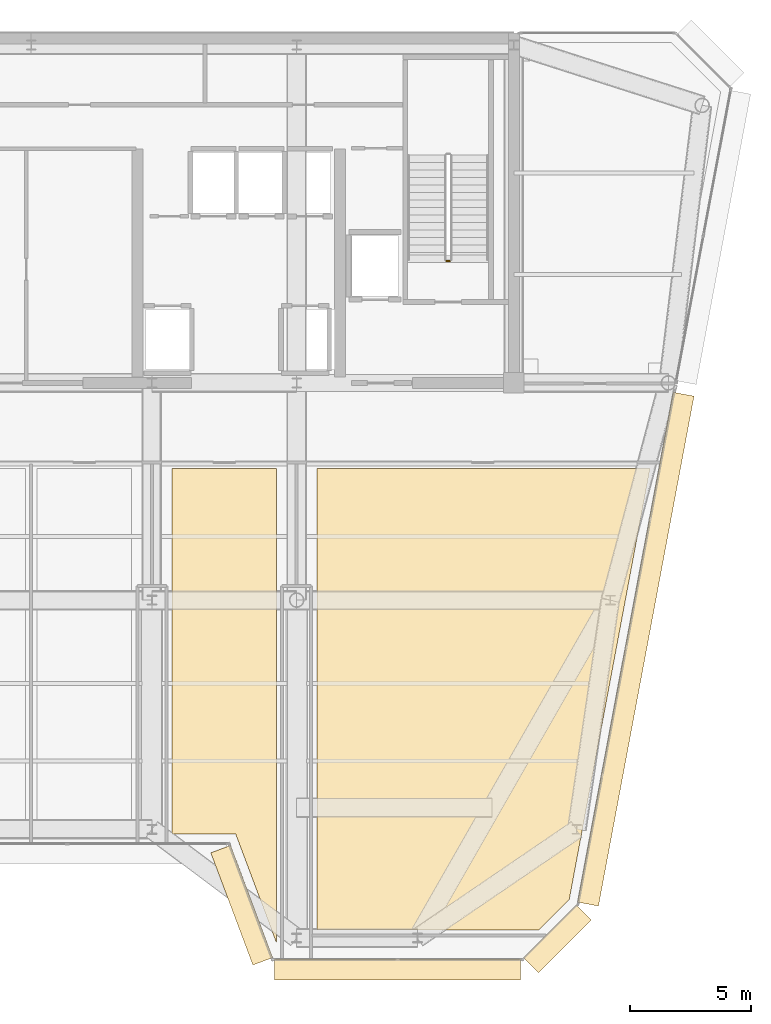
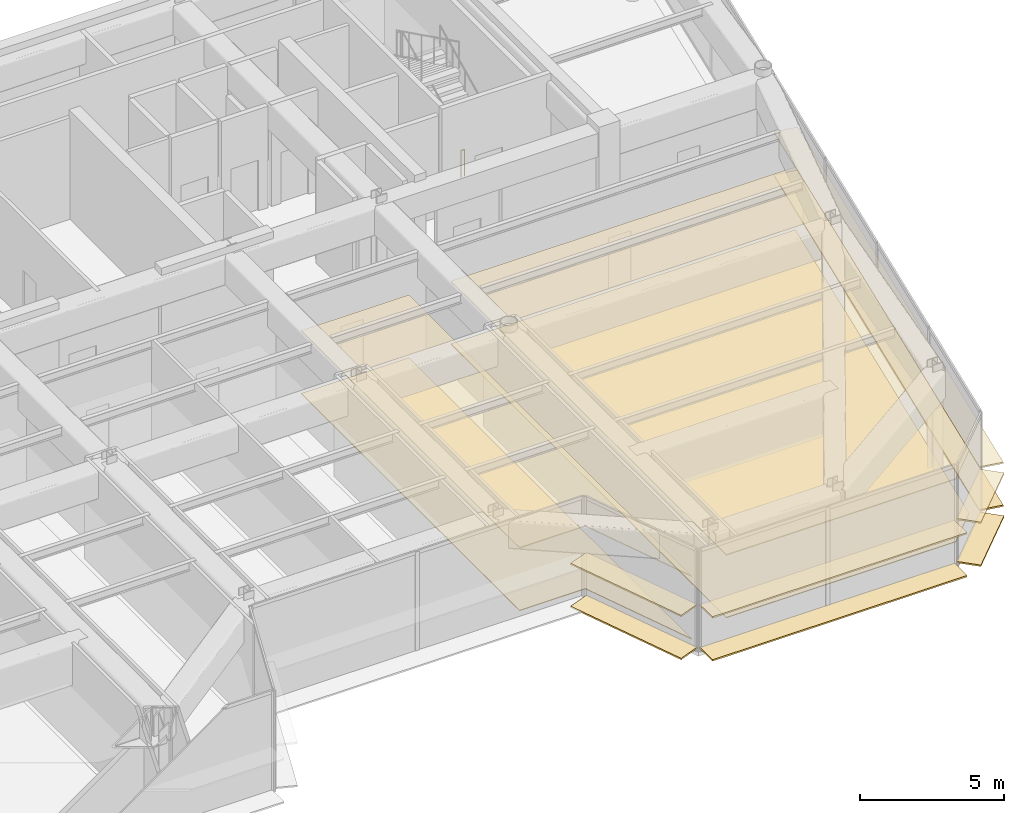
# One storey, part 16 of 20: 12 coverings, 1 railing.
"""IFC4 building model written with IfcOpenShell, lengths in metres."""

from ifc_helpers import new_model, si_unit, direction, frame, origin, origin_2d, place, context, subcontext, project, spatial, polyline, rectangle, circle, outline, extrude, source, transform, mapped, material, layer, layer_set, type_object, element, save


model = new_model("IFC4")

# Units and contexts
model_context = context("Model", 3, precision=1e-05, world=origin(), true_north=direction((0.0, 1.0)))
body_context = subcontext(model_context, "Body", "Model", "MODEL_VIEW")
ifc_project = project(units=[si_unit("LENGTHUNIT", "METRE"), si_unit("AREAUNIT", "SQUARE_METRE"), si_unit("VOLUMEUNIT", "CUBIC_METRE"), si_unit("PLANEANGLEUNIT", "RADIAN"), si_unit("MASSUNIT", "GRAM", prefix="KILO")], contexts=[model_context])

# Site, building, storey
site_placement = place(None, origin())
site = spatial("IfcSite", under=ifc_project, at=site_placement, CompositionType="ELEMENT")
building_placement = place(site_placement, origin())
building = spatial("IfcBuilding", under=site, at=building_placement, Name="Vaeldorn Concourse Tower", CompositionType="ELEMENT")
storey_placement = place(building_placement, frame((0.0, 0.0, 299.199951171875)))
storey = spatial("IfcBuildingStorey", under=building, at=storey_placement, Name="L77", CompositionType="ELEMENT", Elevation=299.199951171875)

# Coverings
ifc_material_1 = material(Name="Acoustic Mineral Fibre Board", Category="gypsum")
ifc_layer_1 = layer(ifc_material_1, 0.0400390625)
ifc_layer_set_1 = layer_set([ifc_layer_1], Name="Acoustic Mineral Fibre Board")
covering_type_1 = type_object("IfcCoveringType", Name="COV-CEIL-ACOUSTIC", PredefinedType="CEILING", material=ifc_layer_set_1)
covering_1_placement = place(storey_placement, frame((0.0, 0.0, 2.650146484375)))
element("IfcCovering", 1, at=covering_1_placement, inside=storey, type_object=covering_type_1, Name="Suspended Acoustic Ceiling L77-9", PredefinedType="CEILING", context=body_context, shape_type="SweptSolid", body=[
    extrude(outline(polyline([(39.840087890625, 17.800048828125), (39.840087890625, 32.9599609375), (44.159912109375, 32.9599609375), (44.159912109375, 13.3125), (42.477294921875, 17.800048828125), (39.840087890625, 17.800048828125)])), origin(), (0.0, 0.0, 1.0), 0.039794921875),
])
covering_2_placement = place(storey_placement, frame((0.0, 0.0, 2.650146484375)))
element("IfcCovering", 2, at=covering_2_placement, inside=storey, type_object=covering_type_1, Name="Suspended Acoustic Ceiling L77-10", PredefinedType="CEILING", context=body_context, shape_type="SweptSolid", body=[
    extrude(outline(polyline([(45.840087890625, 32.9599609375), (59.642578125, 32.9599609375), (56.4521484375, 15.941162109375), (56.4521484375, 15.941162109375), (56.293701171875, 15.09521484375), (55.038330078125, 13.840087890625), (45.840087890625, 13.840087890625), (45.840087890625, 32.9599609375)])), origin(), (0.0, 0.0, 1.0), 0.039794921875),
])
ifc_material_2 = material(Name="Honed Limestone Terrazzo Flooring", Category="masonry")
ifc_layer_2 = layer(ifc_material_2, 0.0400390625)
ifc_layer_set_2 = layer_set([ifc_layer_2], Name="Honed Limestone Terrazzo Flooring")
covering_type_2 = type_object("IfcCoveringType", Name="COV-FLOOR-STONE", PredefinedType="FLOORING", material=ifc_layer_set_2)
covering_3_placement = place(storey_placement, origin())
element("IfcCovering", 3, at=covering_3_placement, inside=storey, type_object=covering_type_2, Name="Floor Finish Covering L77-9", PredefinedType="FLOORING", context=body_context, shape_type="SweptSolid", body=[
    extrude(outline(polyline([(39.840087890625, 17.800048828125), (39.840087890625, 32.9599609375), (44.159912109375, 32.9599609375), (44.159912109375, 13.3125), (42.477294921875, 17.800048828125), (39.840087890625, 17.800048828125)])), origin(), (0.0, 0.0, 1.0), 0.030029296875),
])
covering_4_placement = place(storey_placement, origin())
element("IfcCovering", 4, at=covering_4_placement, inside=storey, type_object=covering_type_2, Name="Floor Finish Covering L77-10", PredefinedType="FLOORING", context=body_context, shape_type="SweptSolid", body=[
    extrude(outline(polyline([(45.840087890625, 32.9599609375), (59.642578125, 32.9599609375), (56.4521484375, 15.941162109375), (56.4521484375, 15.941162109375), (56.293701171875, 15.09521484375), (55.038330078125, 13.840087890625), (45.840087890625, 13.840087890625), (45.840087890625, 32.9599609375)])), origin(), (0.0, 0.0, 1.0), 0.030029296875),
])

# Railing
ifc_material_3 = material(Name="Anodised Bronze Aluminium", Category="aluminium")
railing_type = type_object("IfcRailingType", Name="RL-STAIR-GUARD", PredefinedType="GUARDRAIL", material=ifc_material_3)
railing_placement = place(storey_placement, frame((51.35009765625, 41.550048828125, 0.0)))
element("IfcRailing", 5, at=railing_placement, inside=storey, type_object=railing_type, Name="L77 ST-2 stair guard 4", PredefinedType="GUARDRAIL", context=body_context, shape_type="SweptSolid", body=[
    extrude(circle(Radius=0.02392578125, at=origin_2d()), frame((0.0, 0.0, 1.1259765625), z_axis=(-1.0, 0.0, 0.0), x_axis=(0.0, -1.0, 0.0)), (0.0, 0.0, 1.0), 0.150146484375),
    extrude(circle(Radius=0.02099609375, at=origin_2d()), origin(), (0.0, 0.0, 1.0), 1.101806640625),
    extrude(circle(Radius=0.02099609375, at=origin_2d()), frame((-0.150146484375, 0.0, 0.0)), (0.0, 0.0, 1.0), 1.101806640625),
])

# Coverings
ifc_layer_3 = layer(ifc_material_3, 0.06494140625)
ifc_layer_set_3 = layer_set([ifc_layer_3], Name="Anodised Bronze Aluminium")
covering_type_3 = type_object("IfcCoveringType", Name="SD-BRONZE-SUNSHADE", PredefinedType="USERDEFINED", material=ifc_layer_set_3)
shared_shape_1 = source(origin(), body_context, "Body", "SweptSolid", [
    extrude(rectangle(XDim=4.96630859375, YDim=0.8798828125, at=origin_2d()), origin(), (0.0, 0.0, 1.0), 0.06494140625),
])
for number, where, z_axis, x_axis, name in (
    (6, (42.7255859375, 14.859619140625, 0.047607421875), (0.0, 0.0, 1.0), (0.351122702609, -0.936329454686, 0.0), "Horizontal Bronze Sunshade L77-E04.1.1"),
    (7, (42.7255859375, 14.859619140625, 1.86767578125), (0.0, 0.0, 1.0), (0.351122702609, -0.936329454686, 0.0), "Horizontal Bronze Sunshade L77-E04.1.2"),
):
    element("IfcCovering", number, at=place(storey_placement, frame(where, z_axis=z_axis, x_axis=x_axis)), inside=storey, type_object=covering_type_3, Name=name, ObjectType="SUNSHADE", PredefinedType="USERDEFINED", context=body_context, shape_type="MappedRepresentation", body=[
        mapped(shared_shape_1, transform((0.0, 0.0, 0.0), scale=1.0)),
    ])
shared_shape_2 = source(origin(), body_context, "Body", "SweptSolid", [
    extrude(rectangle(XDim=3.0927734375, YDim=0.8798828125, at=origin_2d()), origin(), (0.0, 0.0, 1.0), 0.06494140625),
])
for number, where, z_axis, x_axis, name in (
    (8, (55.796875, 13.46728515625, 0.047607421875), (0.0, 0.0, 1.0), (0.707106781187, 0.707106781187, 0.0), "Horizontal Bronze Sunshade L77-E06.1.1"),
    (9, (55.796875, 13.46728515625, 1.86767578125), (0.0, 0.0, 1.0), (0.707106781187, 0.707106781187, 0.0), "Horizontal Bronze Sunshade L77-E06.1.2"),
):
    element("IfcCovering", number, at=place(storey_placement, frame(where, z_axis=z_axis, x_axis=x_axis)), inside=storey, type_object=covering_type_3, Name=name, ObjectType="SUNSHADE", PredefinedType="USERDEFINED", context=body_context, shape_type="MappedRepresentation", body=[
        mapped(shared_shape_2, transform((0.0, 0.0, 0.0), scale=1.0)),
    ])
shared_shape_3 = source(origin(), body_context, "Body", "SweptSolid", [
    extrude(rectangle(XDim=21.49560546875, YDim=0.8798828125, at=origin_2d()), origin(), (0.0, 0.0, 1.0), 0.06494140625),
])
for number, where, z_axis, x_axis, name in (
    (10, (59.05224609375, 25.46875, 0.047607421875), (0.0, 0.0, 1.0), (0.1842429853, 0.98288072642, 0.0), "Horizontal Bronze Sunshade L77-E07.1.1"),
    (11, (59.05224609375, 25.46875, 1.86767578125), (0.0, 0.0, 1.0), (0.1842429853, 0.98288072642, 0.0), "Horizontal Bronze Sunshade L77-E07.1.2"),
):
    element("IfcCovering", number, at=place(storey_placement, frame(where, z_axis=z_axis, x_axis=x_axis)), inside=storey, type_object=covering_type_3, Name=name, ObjectType="SUNSHADE", PredefinedType="USERDEFINED", context=body_context, shape_type="MappedRepresentation", body=[
        mapped(shared_shape_3, transform((0.0, 0.0, 0.0), scale=1.0)),
    ])
shared_shape_4 = source(origin(), body_context, "Body", "SweptSolid", [
    extrude(rectangle(XDim=10.2041015625, YDim=0.8798828125, at=origin_2d()), origin(), (0.0, 0.0, 1.0), 0.06494140625),
])
for number, where, z_axis, x_axis, name in (
    (12, (49.181884765625, 12.199951171875, 0.047607421875), (0.0, 0.0, 1.0), (1.0, 0.0, 0.0), "Horizontal Bronze Sunshade L77-E05.1.1"),
    (13, (49.181884765625, 12.199951171875, 1.86767578125), (0.0, 0.0, 1.0), (1.0, 0.0, 0.0), "Horizontal Bronze Sunshade L77-E05.1.2"),
):
    element("IfcCovering", number, at=place(storey_placement, frame(where, z_axis=z_axis, x_axis=x_axis)), inside=storey, type_object=covering_type_3, Name=name, ObjectType="SUNSHADE", PredefinedType="USERDEFINED", context=body_context, shape_type="MappedRepresentation", body=[
        mapped(shared_shape_4, transform((0.0, 0.0, 0.0), scale=1.0)),
    ])

save(model, "model.ifc")
